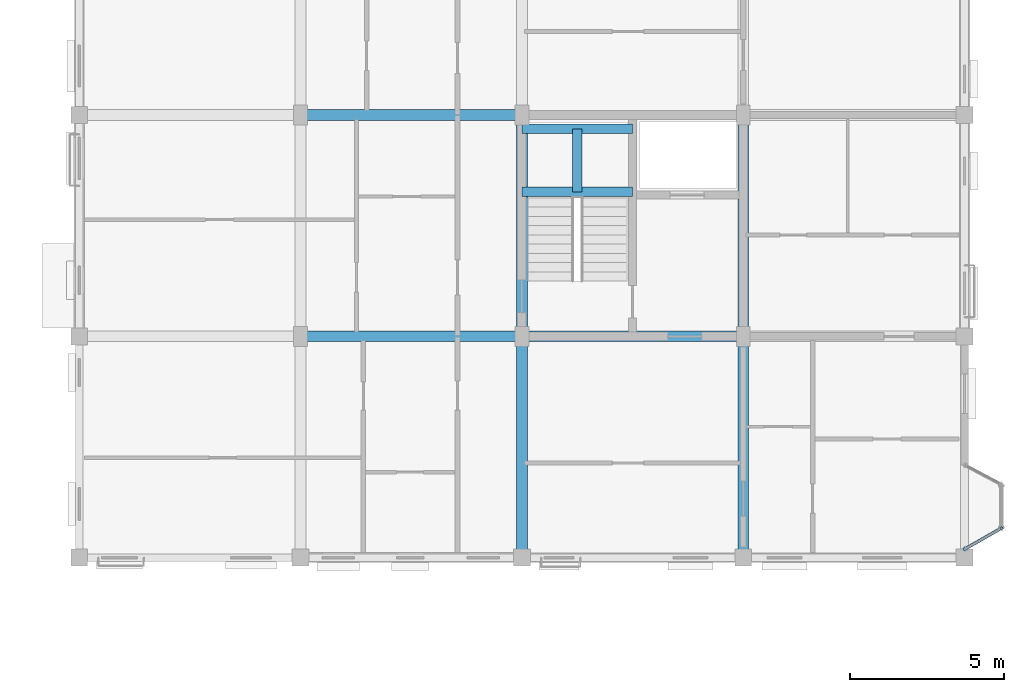
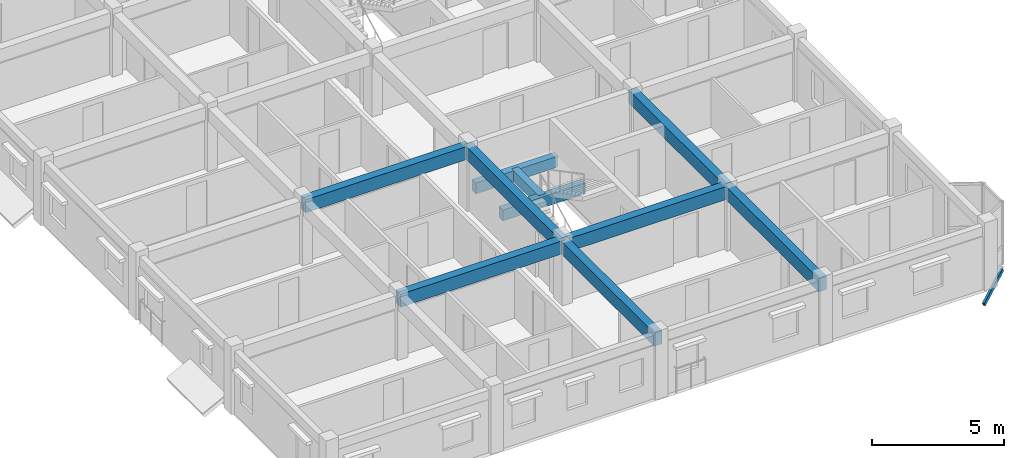
# One storey, part 22 of 75: 10 beams, 1 member.
"""IFC4 building model written with IfcOpenShell, lengths in metres."""

import ifcopenshell
import ifcopenshell.guid

model = None  # the IFC model being written
_history = None  # IfcOwnerHistory: only IFC2X3 demands one
_inside = {}  # id of a spatial element -> (the spatial element, [elements in it])
_under = {}  # id of a project, library or spatial element -> (it, [spatial elements below it])
_declared = {}  # id of a project -> (the project, [libraries it declares])
_typed = {}  # id of a type object -> (the type object, [elements of that type])
_made_of = {}  # id of a material, layer set ... -> (it, [elements and type objects made of it])


def new_model(schema):
    """Start an empty IFC model of exactly this schema.

    Asked for "IFC4X3", IfcOpenShell would pick the latest addendum, in which some entities
    have other attributes; the version numbers below select the first issue.
    IFC2X3 requires an IfcOwnerHistory on every rooted entity: one is made here for all.
    """
    global model, _history
    if schema == "IFC4X3":
        model = ifcopenshell.file(schema_version=(4, 3, 0, 0))
    else:
        model = ifcopenshell.file(schema=schema)
    _inside.clear()
    _under.clear()
    _declared.clear()
    _typed.clear()
    _made_of.clear()
    _history = None
    if model.schema == "IFC2X3":
        org = make("IfcOrganization", Name="unknown")
        user = make(
            "IfcPersonAndOrganization",
            ThePerson=make("IfcPerson", FamilyName="unknown"),
            TheOrganization=org,
        )
        app = make(
            "IfcApplication",
            ApplicationDeveloper=org,
            Version="unknown",
            ApplicationFullName="unknown",
            ApplicationIdentifier="unknown",
        )
        _history = make(
            "IfcOwnerHistory",
            OwningUser=user,
            OwningApplication=app,
            ChangeAction="ADDED",
            CreationDate=0,
        )
    return model


def make(cls, **values):
    """One entity of the class cls with the attributes given. An attribute that is None is left unset."""
    return model.create_entity(
        cls, **{name: value for name, value in values.items() if value is not None}
    )


def rooted(cls, **values):
    """An entity with a GlobalId (a new one), such as an element, a storey or a relation."""
    return make(cls, GlobalId=ifcopenshell.guid.new(), OwnerHistory=_history, **values)


def si_unit(unit_type, name, prefix=None):
    """IfcSIUnit, for example si_unit("LENGTHUNIT", "METRE", prefix="MILLI")."""
    return make("IfcSIUnit", UnitType=unit_type, Prefix=prefix, Name=name)


def assignment(units):
    """IfcUnitAssignment: the units of a project."""
    return None if units is None else make("IfcUnitAssignment", Units=units)


def point(xyz):
    """IfcCartesianPoint."""
    return None if xyz is None else make("IfcCartesianPoint", Coordinates=xyz)


def direction(xyz):
    """IfcDirection."""
    return None if xyz is None else make("IfcDirection", DirectionRatios=xyz)


def frame(location, z_axis=None, x_axis=None):
    """IfcAxis2Placement3D, a coordinate frame: its origin and axes. An axis left out is left unset."""
    return make(
        "IfcAxis2Placement3D",
        Location=point(location),
        Axis=direction(z_axis),
        RefDirection=direction(x_axis),
    )


def frame_2d(location, x_axis=None):
    """IfcAxis2Placement2D, a coordinate frame in the plane: its origin and x axis."""
    return make(
        "IfcAxis2Placement2D", Location=point(location), RefDirection=direction(x_axis)
    )


def origin():
    """The frame at (0, 0, 0) with its axes left unset."""
    return frame((0.0, 0.0, 0.0))


def origin_2d():
    """The frame at (0, 0) in the plane with its x axis left unset."""
    return frame_2d((0.0, 0.0))


def place(relative_to, where):
    """IfcLocalPlacement: puts the frame where relative to a parent placement (None: the world)."""
    return make(
        "IfcLocalPlacement", PlacementRelTo=relative_to, RelativePlacement=where
    )


def context(
    kind, dimensions, precision=None, world=None, true_north=None, identifier=None
):
    """IfcGeometricRepresentationContext, for example the 3D "Model" context."""
    return make(
        "IfcGeometricRepresentationContext",
        ContextIdentifier=identifier,
        ContextType=kind,
        CoordinateSpaceDimension=dimensions,
        Precision=precision,
        WorldCoordinateSystem=world,
        TrueNorth=true_north,
    )


def subcontext(parent, identifier, kind, view, scale=None):
    """IfcGeometricRepresentationSubContext, for example "Body" below "Model"."""
    return make(
        "IfcGeometricRepresentationSubContext",
        ContextIdentifier=identifier,
        ContextType=kind,
        ParentContext=parent,
        TargetScale=scale,
        TargetView=view,
    )


def project(units=None, contexts=None):
    """IfcProject with its units and contexts."""
    return rooted(
        "IfcProject",
        Name="project",
        RepresentationContexts=contexts,
        UnitsInContext=assignment(units),
    )


def spatial(cls, under=None, at=None, **own):
    """A site, building, storey or space (cls), placed at a placement, below another one or the project."""
    s = rooted(cls, ObjectPlacement=at, **own)
    if under is not None:
        _under.setdefault(under.id(), (under, []))[1].append(s)
    return s


def profile(cls, at=None, kind="AREA", **sizes):
    """A parametric profile (cls). Its sizes go by their IFC names, for example OverallWidth=200.0."""
    return make(cls, ProfileType=kind, Position=at, **sizes)


def rectangle(**sizes):
    """IfcRectangleProfileDef."""
    return profile("IfcRectangleProfileDef", **sizes)


def hollow_rectangle(**sizes):
    """IfcRectangleHollowProfileDef."""
    return profile("IfcRectangleHollowProfileDef", **sizes)


def extrude(swept, where, along, depth):
    """IfcExtrudedAreaSolid: the profile swept, set in the frame where, extruded along a direction by depth."""
    return make(
        "IfcExtrudedAreaSolid",
        SweptArea=swept,
        Position=where,
        ExtrudedDirection=direction(along),
        Depth=depth,
    )


def shape(context_of_items, identifier, shape_type, items):
    """IfcShapeRepresentation: the items that make up one representation, for example the "Body"."""
    return make(
        "IfcShapeRepresentation",
        ContextOfItems=context_of_items,
        RepresentationIdentifier=identifier,
        RepresentationType=shape_type,
        Items=items,
    )


def material(Name=None, Category=None):
    """IfcMaterial."""
    return make("IfcMaterial", Name=Name, Category=Category)


def material_profile(
    of_material, cross_section, Name=None, Category=None, Priority=None
):
    """IfcMaterialProfile: a cross section and its material."""
    return make(
        "IfcMaterialProfile",
        Name=Name,
        Material=of_material,
        Profile=cross_section,
        Priority=Priority,
        Category=Category,
    )


def profile_set(profiles, Name=None, composite=None):
    """IfcMaterialProfileSet."""
    return make(
        "IfcMaterialProfileSet",
        Name=Name,
        MaterialProfiles=profiles,
        CompositeProfile=composite,
    )


def made_of(thing, what):
    """Note that an element or type object is made of a material, layer set ...; save() writes the relation."""
    if what is not None:
        _made_of.setdefault(what.id(), (what, []))[1].append(thing)
    return thing


def type_object(cls, material=None, **own):
    """A type object (cls), such as IfcWallType, which elements share."""
    return made_of(rooted(cls, **own), material)


def element(
    cls,
    number,
    at=None,
    inside=None,
    cuts=None,
    type_object=None,
    material=None,
    context=None,
    identifier="Body",
    shape_type=None,
    held_by="IfcProductDefinitionShape",
    body=None,
    shapes=None,
    **own,
):
    """One element of the class cls, such as IfcWall. Its Tag is "e" and its number.

    at: its placement. inside: the storey or other place that contains it. cuts: it is an
    opening in that element (IfcRelVoidsElement). A single representation is given by context,
    identifier, shape_type and body (its items); several are given by shapes. held_by: the class
    of the entity that holds the representations. save() writes the other relations.
    """
    e = rooted(cls, Tag="e%d" % number, ObjectPlacement=at, **own)
    if body is not None:
        shapes = [shape(context, identifier, shape_type, body)]
    if shapes is not None:
        e.Representation = make(held_by, Representations=shapes)
    if inside is not None:
        _inside.setdefault(inside.id(), (inside, []))[1].append(e)
    if cuts is not None:
        rooted(
            "IfcRelVoidsElement", RelatingBuildingElement=cuts, RelatedOpeningElement=e
        )
    if type_object is not None:
        _typed.setdefault(type_object.id(), (type_object, []))[1].append(e)
    return made_of(e, material)


def aggregate(whole, parts):
    """IfcRelAggregates: a whole, such as a stair, and the parts it consists of."""
    return rooted("IfcRelAggregates", RelatingObject=whole, RelatedObjects=parts)


def save(model, path):
    """Write the relations noted so far, then the file.

    IfcRelAggregates (storeys below a building ...), IfcRelContainedInSpatialStructure (elements
    in a storey), IfcRelDefinesByType, IfcRelAssociatesMaterial and IfcRelDeclares: one each for
    every whole, place, type object, material and project.
    """
    for whole, parts in _under.values():
        aggregate(whole, parts)
    for where, things in _inside.values():
        rooted(
            "IfcRelContainedInSpatialStructure",
            RelatedElements=things,
            RelatingStructure=where,
        )
    for kind, things in _typed.values():
        rooted("IfcRelDefinesByType", RelatedObjects=things, RelatingType=kind)
    for what, things in _made_of.values():
        rooted("IfcRelAssociatesMaterial", RelatedObjects=things, RelatingMaterial=what)
    for by, libraries in _declared.values():
        rooted("IfcRelDeclares", RelatingContext=by, RelatedDefinitions=libraries)
    model.write(path)


model = new_model("IFC4")

# Units and contexts
model_context = context("Model", 3, precision=1e-05, world=origin(), true_north=direction((0.0, 1.0)))
body_context = subcontext(model_context, "Body", "Model", "MODEL_VIEW")
ifc_project = project(units=[si_unit("LENGTHUNIT", "METRE"), si_unit("AREAUNIT", "SQUARE_METRE"), si_unit("VOLUMEUNIT", "CUBIC_METRE"), si_unit("PLANEANGLEUNIT", "RADIAN"), si_unit("MASSUNIT", "GRAM", prefix="KILO"), si_unit("THERMODYNAMICTEMPERATUREUNIT", "KELVIN"), si_unit("POWERUNIT", "WATT")], contexts=[model_context])

# Site, building, storey
site_placement = place(None, origin())
site = spatial("IfcSite", under=ifc_project, at=site_placement, CompositionType="ELEMENT")
building_placement = place(site_placement, origin())
building = spatial("IfcBuilding", under=site, at=building_placement, Name="Tavuni Mirador Residences", CompositionType="ELEMENT")
storey_placement = place(building_placement, frame((0.0, 0.0, 20.25)))
storey = spatial("IfcBuildingStorey", under=building, at=storey_placement, Name="L06", CompositionType="ELEMENT", Elevation=20.25)

# Beams
ifc_material_1 = material(Name="Precast concrete C40/50", Category="concrete")
ifc_material_profile_1 = material_profile(ifc_material_1, rectangle(XDim=0.300048828125, YDim=0.5, at=origin_2d()), Name="PC 300x500", Category="concrete")
ifc_profile_set_1 = profile_set([ifc_material_profile_1], Name="Precast concrete C40/50")
beam_type_1 = type_object("IfcBeamType", Name="BT-B500", PredefinedType="BEAM", material=ifc_profile_set_1)
for number, where, z_axis, x_axis, name in (
    (1, (104.39990234375, 98.300048828125, 1.14501953125), (1.0, 0.0, 0.0), (0.0, 1.0, 0.0), "HLB1-C7-L06"),
    (2, (104.39990234375, 100.35009765625, 1.14501953125), (1.0, 0.0, 0.0), (0.0, 1.0, 0.0), "HLB2-C7-L06"),
):
    element("IfcBeam", number, at=place(storey_placement, frame(where, z_axis=z_axis, x_axis=x_axis)), inside=storey, type_object=beam_type_1, Name=name, PredefinedType="BEAM", context=body_context, shape_type="SweptSolid", body=[
        extrude(rectangle(XDim=0.300048828125, YDim=0.5, at=origin_2d()), origin(), (0.0, 0.0, 1.0), 3.60009765625),
    ])
beam_1_placement = place(storey_placement, frame((106.199951171875, 98.300048828125, 1.14501953125), z_axis=(0.0, 1.0, 0.0), x_axis=(-1.0, 0.0, 0.0)))
element("IfcBeam", 3, at=beam_1_placement, inside=storey, type_object=beam_type_1, Name="HLB3-C7-L06", PredefinedType="BEAM", context=body_context, shape_type="SweptSolid", body=[
    extrude(rectangle(XDim=0.300048828125, YDim=0.5, at=origin_2d()), origin(), (0.0, 0.0, 1.0), 2.050048828125),
])
ifc_material_profile_2 = material_profile(ifc_material_1, rectangle(XDim=0.35009765625, YDim=0.60009765625, at=origin_2d()), Name="PC 350x600", Category="concrete")
ifc_profile_set_2 = profile_set([ifc_material_profile_2], Name="Precast concrete C40/50")
beam_type_2 = type_object("IfcBeamType", Name="BT-B600", PredefinedType="BEAM", material=ifc_profile_set_2)
beam_2_placement = place(storey_placement, frame((97.199951171875, 93.60009765625, 2.590087890625), z_axis=(1.0, 0.0, 0.0), x_axis=(0.0, 1.0, 0.0)))
element("IfcBeam", 4, at=beam_2_placement, inside=storey, type_object=beam_type_2, Name="BMX-BLK-D-L06-01-01", PredefinedType="BEAM", context=body_context, shape_type="SweptSolid", body=[
    extrude(rectangle(XDim=0.35009765625, YDim=0.60009765625, at=origin_2d()), origin(), (0.0, 0.0, 1.0), 7.199951171875),
])
beam_3_placement = place(storey_placement, frame((104.39990234375, 93.60009765625, 2.590087890625), z_axis=(1.0, 0.0, 0.0), x_axis=(0.0, 1.0, 0.0)))
element("IfcBeam", 5, at=beam_3_placement, inside=storey, type_object=beam_type_2, Name="BMX-BLK-D-L06-02-01", PredefinedType="BEAM", context=body_context, shape_type="SweptSolid", body=[
    extrude(rectangle(XDim=0.35009765625, YDim=0.60009765625, at=origin_2d()), origin(), (0.0, 0.0, 1.0), 7.2001953125),
])
beam_4_placement = place(storey_placement, frame((97.199951171875, 100.800048828125, 2.590087890625), z_axis=(1.0, 0.0, 0.0), x_axis=(0.0, 1.0, 0.0)))
element("IfcBeam", 6, at=beam_4_placement, inside=storey, type_object=beam_type_2, Name="BMX-BLK-D-L06-01-02", PredefinedType="BEAM", context=body_context, shape_type="SweptSolid", body=[
    extrude(rectangle(XDim=0.35009765625, YDim=0.60009765625, at=origin_2d()), origin(), (0.0, 0.0, 1.0), 7.199951171875),
])
beam_5_placement = place(storey_placement, frame((104.39990234375, 86.39990234375, 2.590087890625), z_axis=(0.0, 1.0, 0.0), x_axis=(-1.0, 0.0, 0.0)))
element("IfcBeam", 7, at=beam_5_placement, inside=storey, type_object=beam_type_2, Name="BMY-BLK-D-L06-02-00", PredefinedType="BEAM", context=body_context, shape_type="SweptSolid", body=[
    extrude(rectangle(XDim=0.35009765625, YDim=0.60009765625, at=origin_2d()), origin(), (0.0, 0.0, 1.0), 7.2001953125),
])
beam_6_placement = place(storey_placement, frame((104.39990234375, 93.60009765625, 2.590087890625), z_axis=(0.0, 1.0, 0.0), x_axis=(-1.0, 0.0, 0.0)))
element("IfcBeam", 8, at=beam_6_placement, inside=storey, type_object=beam_type_2, Name="BMY-BLK-D-L06-02-01", PredefinedType="BEAM", context=body_context, shape_type="SweptSolid", body=[
    extrude(rectangle(XDim=0.35009765625, YDim=0.60009765625, at=origin_2d()), origin(), (0.0, 0.0, 1.0), 7.199951171875),
])
beam_7_placement = place(storey_placement, frame((111.60009765625, 86.39990234375, 2.590087890625), z_axis=(0.0, 1.0, 0.0), x_axis=(-1.0, 0.0, 0.0)))
element("IfcBeam", 9, at=beam_7_placement, inside=storey, type_object=beam_type_2, Name="BMY-BLK-D-L06-03-00", PredefinedType="BEAM", context=body_context, shape_type="SweptSolid", body=[
    extrude(rectangle(XDim=0.35009765625, YDim=0.60009765625, at=origin_2d()), origin(), (0.0, 0.0, 1.0), 7.2001953125),
])
beam_8_placement = place(storey_placement, frame((111.60009765625, 93.60009765625, 2.590087890625), z_axis=(0.0, 1.0, 0.0), x_axis=(-1.0, 0.0, 0.0)))
element("IfcBeam", 10, at=beam_8_placement, inside=storey, type_object=beam_type_2, Name="BMY-BLK-D-L06-03-01", PredefinedType="BEAM", context=body_context, shape_type="SweptSolid", body=[
    extrude(rectangle(XDim=0.35009765625, YDim=0.60009765625, at=origin_2d()), origin(), (0.0, 0.0, 1.0), 7.199951171875),
])

# Member
ifc_material_2 = material(Name="Structural steel S355", Category="steel")
ifc_material_profile_3 = material_profile(ifc_material_2, hollow_rectangle(XDim=0.10009765625, YDim=0.179931640625, WallThickness=0.008056640625, at=origin_2d()), Name="RHS 180x100x8.0", Category="steel")
ifc_profile_set_3 = profile_set([ifc_material_profile_3], Name="Structural steel S355")
member_type = type_object("IfcMemberType", Name="MT-BR-RHS180", PredefinedType="BRACE", material=ifc_profile_set_3)
member_placement = place(storey_placement, frame((118.800048828125, 86.675048828125, -1.050048828125), z_axis=(0.753903905175, 0.430407804256, 0.496364809185), x_axis=(-0.495796390047, 0.868438794398, 0.0)))
element("IfcMember", 11, at=member_placement, inside=storey, type_object=member_type, Name="MBRK-MIR-D-E1-L06-1", PredefinedType="BRACE", context=body_context, shape_type="SweptSolid", body=[
    extrude(hollow_rectangle(XDim=0.10009765625, YDim=0.179931640625, WallThickness=0.008056640625, at=origin_2d()), origin(), (0.0, 0.0, 1.0), 1.591552734375),
])

save(model, "model.ifc")
